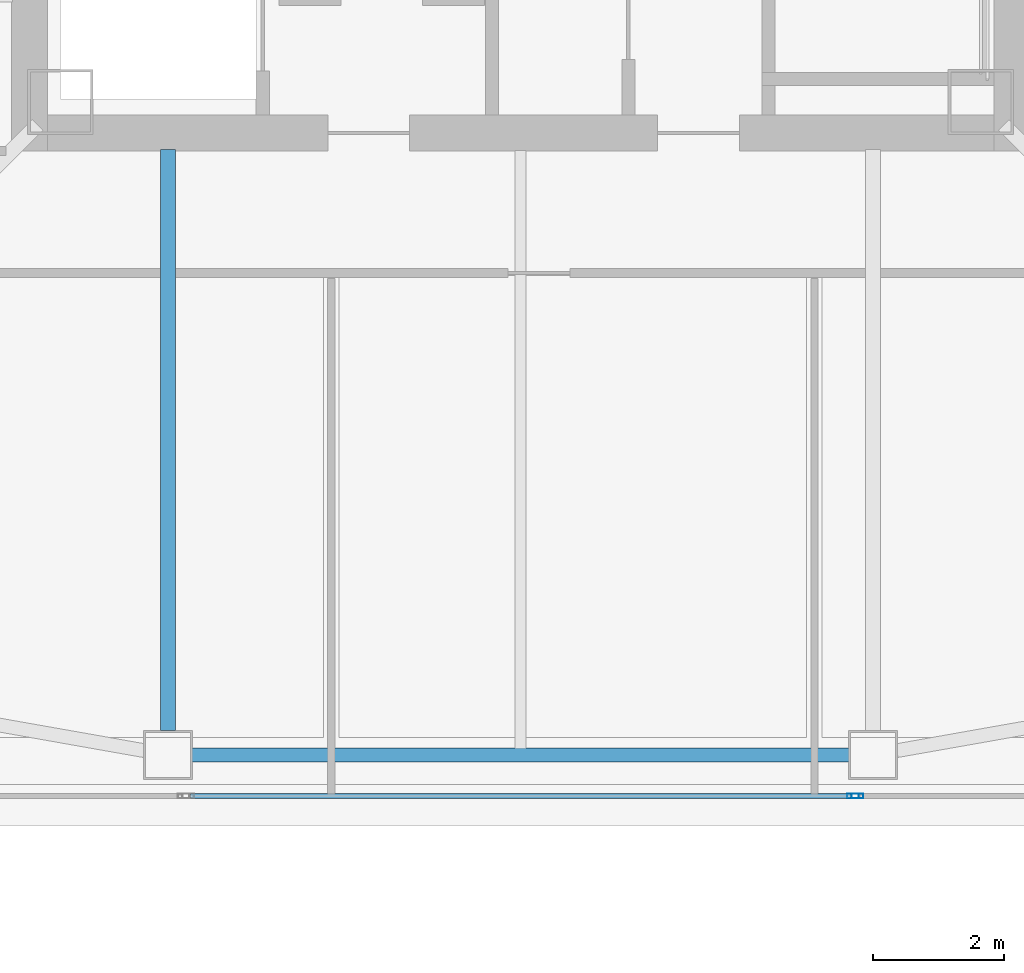
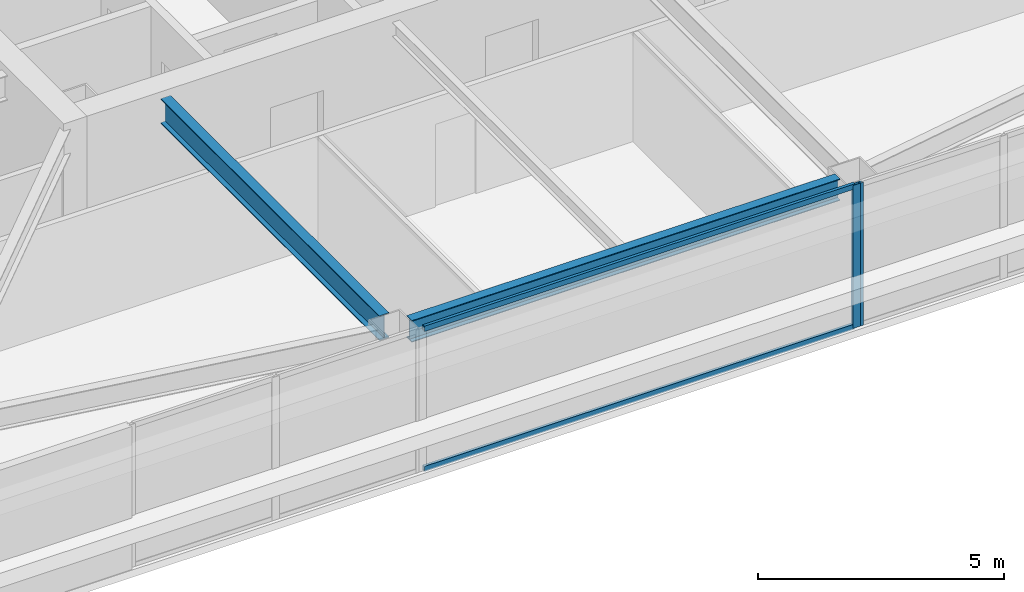
# One storey, part 5 of 43: 4 members, 2 beams, 2 elements without a shape of their own.
"""IFC4 building model written with IfcOpenShell, lengths in metres."""

from ifc_helpers import new_model, si_unit, direction, frame, origin, origin_2d, place, context, subcontext, project, spatial, hollow_rectangle, i_section, extrude, material, material_profile, profile_set, type_object, element, aggregate, save


model = new_model("IFC4")

# Units and contexts
model_context = context("Model", 3, precision=1e-05, world=origin(), true_north=direction((0.0, 1.0)))
body_context = subcontext(model_context, "Body", "Model", "MODEL_VIEW")
ifc_project = project(units=[si_unit("LENGTHUNIT", "METRE"), si_unit("AREAUNIT", "SQUARE_METRE"), si_unit("VOLUMEUNIT", "CUBIC_METRE"), si_unit("PLANEANGLEUNIT", "RADIAN"), si_unit("MASSUNIT", "GRAM", prefix="KILO")], contexts=[model_context])

# Site, building, storey
site_placement = place(None, origin())
site = spatial("IfcSite", under=ifc_project, at=site_placement, CompositionType="ELEMENT")
building_placement = place(site_placement, origin())
building = spatial("IfcBuilding", under=site, at=building_placement, Name="Tashvorn Skyway Center", CompositionType="ELEMENT")
storey_placement = place(building_placement, frame((0.0, 0.0, 160.550048828125)))
storey = spatial("IfcBuildingStorey", under=building, at=storey_placement, Name="L43", CompositionType="ELEMENT", Elevation=160.550048828125)

# Beams
ifc_material_1 = material(Name="Steel ASTM A992 Grade 50", Category="steel")
ifc_material_profile_1 = material_profile(ifc_material_1, i_section(OverallWidth=0.22998046875, OverallDepth=0.616943359375, WebThickness=0.01318359375, FlangeThickness=0.022216796875, at=origin_2d()), Name="W24X94")
ifc_profile_set_1 = profile_set([ifc_material_profile_1], Name="Steel ASTM A992 Grade 50")
beam_type_1 = type_object("IfcBeamType", Name="BM-BEAM-W24X94", PredefinedType="BEAM", material=ifc_profile_set_1)
beam_1_placement = place(storey_placement, frame((36.60009765625, 15.320068359375, 3.0615234375), z_axis=(0.0, 1.0, 0.0), x_axis=(-1.0, 0.0, 0.0)))
element("IfcBeam", 1, at=beam_1_placement, inside=storey, type_object=beam_type_1, Name="Tower 1 L43 Primary Floor Girder FC-S1", PredefinedType="BEAM", context=body_context, shape_type="SweptSolid", body=[
    extrude(i_section(OverallWidth=0.22998046875, OverallDepth=0.616943359375, WebThickness=0.01318359375, FlangeThickness=0.022216796875, at=origin_2d()), origin(), (0.0, 0.0, 1.0), 8.89990234375),
])
ifc_material_profile_2 = material_profile(ifc_material_1, i_section(OverallWidth=0.2109375, OverallDepth=0.5390625, WebThickness=0.01171875, FlangeThickness=0.018798828125, at=origin_2d()), Name="W21X73")
ifc_profile_set_2 = profile_set([ifc_material_profile_2], Name="Steel ASTM A992 Grade 50")
beam_type_2 = type_object("IfcBeamType", Name="BM-SPANDREL-W21X73", PredefinedType="SPANDREL", material=ifc_profile_set_2)
beam_2_placement = place(storey_placement, frame((36.969970703125, 14.949951171875, 3.100341796875), z_axis=(1.0, 0.0, 0.0), x_axis=(0.0, 1.0, 0.0)))
element("IfcBeam", 2, at=beam_2_placement, inside=storey, type_object=beam_type_2, Name="Tower 1 L43 Spandrel Beam 02", PredefinedType="SPANDREL", context=body_context, shape_type="SweptSolid", body=[
    extrude(i_section(OverallWidth=0.2109375, OverallDepth=0.5390625, WebThickness=0.01171875, FlangeThickness=0.018798828125, at=origin_2d()), origin(), (0.0, 0.0, 1.0), 10.06005859375),
])

# Curtain wall, member
ifc_material_2 = material(Name="Thermally broken bronze-anodized aluminium 6063-T6", Category="aluminium")
curtain_wall_type = type_object("IfcCurtainWallType", Name="CW-CW-Z4", PredefinedType="NOTDEFINED", material=ifc_material_2)
curtain_wall_1_placement = place(storey_placement, origin())
curtain_wall_1 = element("IfcCurtainWall", 3, at=curtain_wall_1_placement, inside=storey, type_object=curtain_wall_type, Name="Tower 1 L43 South Unitised Curtain Wall Glazing Group 1", PredefinedType="NOTDEFINED")
ifc_material_profile_3 = material_profile(ifc_material_2, hollow_rectangle(XDim=0.070068359375, YDim=0.179931640625, WallThickness=0.00390625, at=origin_2d()), Name="ALU-MULL-70x180")
ifc_profile_set_3 = profile_set([ifc_material_profile_3], Name="Thermally broken bronze-anodized aluminium 6063-T6")
member_type_1 = type_object("IfcMemberType", Name="CWM-CW-Z4", PredefinedType="MULLION", material=ifc_profile_set_3)
member_1_placement = place(storey_placement, frame((47.16162109375, 14.320068359375, 0.0), z_axis=(0.0, 0.0, 1.0), x_axis=(0.0, -1.0, 0.0)))
member_1 = element("IfcMember", 4, at=member_1_placement, type_object=member_type_1, Name="CW-Z4 mullion 3", PredefinedType="MULLION", context=body_context, shape_type="SweptSolid", body=[
    extrude(hollow_rectangle(XDim=0.070068359375, YDim=0.179931640625, WallThickness=0.00390625, at=origin_2d()), origin(), (0.0, 0.0, 1.0), 3.550048828125),
])
aggregate(curtain_wall_1, [member_1])

# Curtain wall, members
curtain_wall_2_placement = place(storey_placement, origin())
curtain_wall_2 = element("IfcCurtainWall", 5, at=curtain_wall_2_placement, inside=storey, type_object=curtain_wall_type, Name="Tower 1 L43 South Unitised Curtain Wall Glazing Group 2", PredefinedType="NOTDEFINED")
member_2_placement = place(storey_placement, frame((47.091796875, 14.320068359375, 0.0), z_axis=(0.0, 0.0, 1.0), x_axis=(0.0, -1.0, 0.0)))
member_2 = element("IfcMember", 6, at=member_2_placement, type_object=member_type_1, Name="CW-Z4 mullion 1", PredefinedType="MULLION", context=body_context, shape_type="SweptSolid", body=[
    extrude(hollow_rectangle(XDim=0.070068359375, YDim=0.179931640625, WallThickness=0.00390625, at=origin_2d()), origin(), (0.0, 0.0, 1.0), 3.550048828125),
])
ifc_material_profile_4 = material_profile(ifc_material_2, hollow_rectangle(XDim=0.070068359375, YDim=0.1298828125, WallThickness=0.00390625, at=origin_2d()), Name="ALU-TRAN-70x130")
ifc_profile_set_4 = profile_set([ifc_material_profile_4], Name="Thermally broken bronze-anodized aluminium 6063-T6")
member_type_2 = type_object("IfcMemberType", Name="CWT-CW-Z4", PredefinedType="USERDEFINED", material=ifc_profile_set_4)
member_3_placement = place(storey_placement, frame((47.056640625, 14.320068359375, 0.034912109375), z_axis=(-1.0, 0.0, 0.0), x_axis=(0.0, -1.0, 0.0)))
member_3 = element("IfcMember", 7, at=member_3_placement, type_object=member_type_2, Name="CW-Z4 transom 1.1", ObjectType="TRANSOM", PredefinedType="USERDEFINED", context=body_context, shape_type="SweptSolid", body=[
    extrude(hollow_rectangle(XDim=0.070068359375, YDim=0.1298828125, WallThickness=0.00390625, at=origin_2d()), origin(), (0.0, 0.0, 1.0), 10.11328125),
])
member_4_placement = place(storey_placement, frame((47.056640625, 14.320068359375, 3.514892578125), z_axis=(-1.0, 0.0, 0.0), x_axis=(0.0, -1.0, 0.0)))
member_4 = element("IfcMember", 8, at=member_4_placement, type_object=member_type_2, Name="CW-Z4 transom 1.2", ObjectType="TRANSOM", PredefinedType="USERDEFINED", context=body_context, shape_type="SweptSolid", body=[
    extrude(hollow_rectangle(XDim=0.070068359375, YDim=0.1298828125, WallThickness=0.00390625, at=origin_2d()), origin(), (0.0, 0.0, 1.0), 10.11328125),
])
aggregate(curtain_wall_2, [member_2, member_3, member_4])

save(model, "model.ifc")
